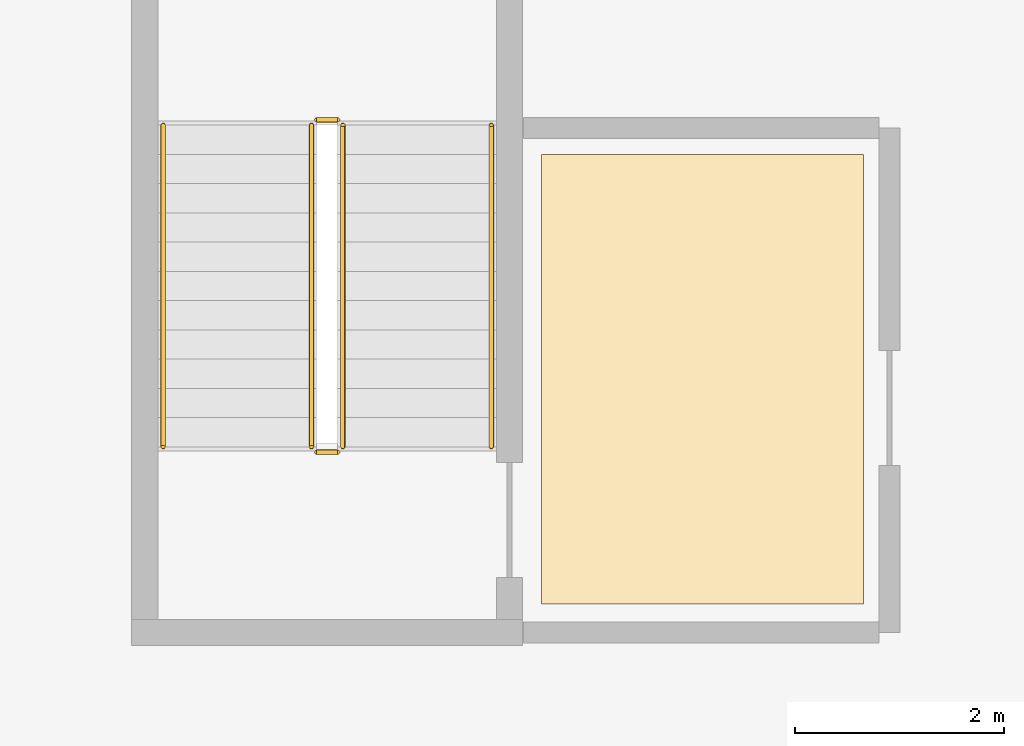
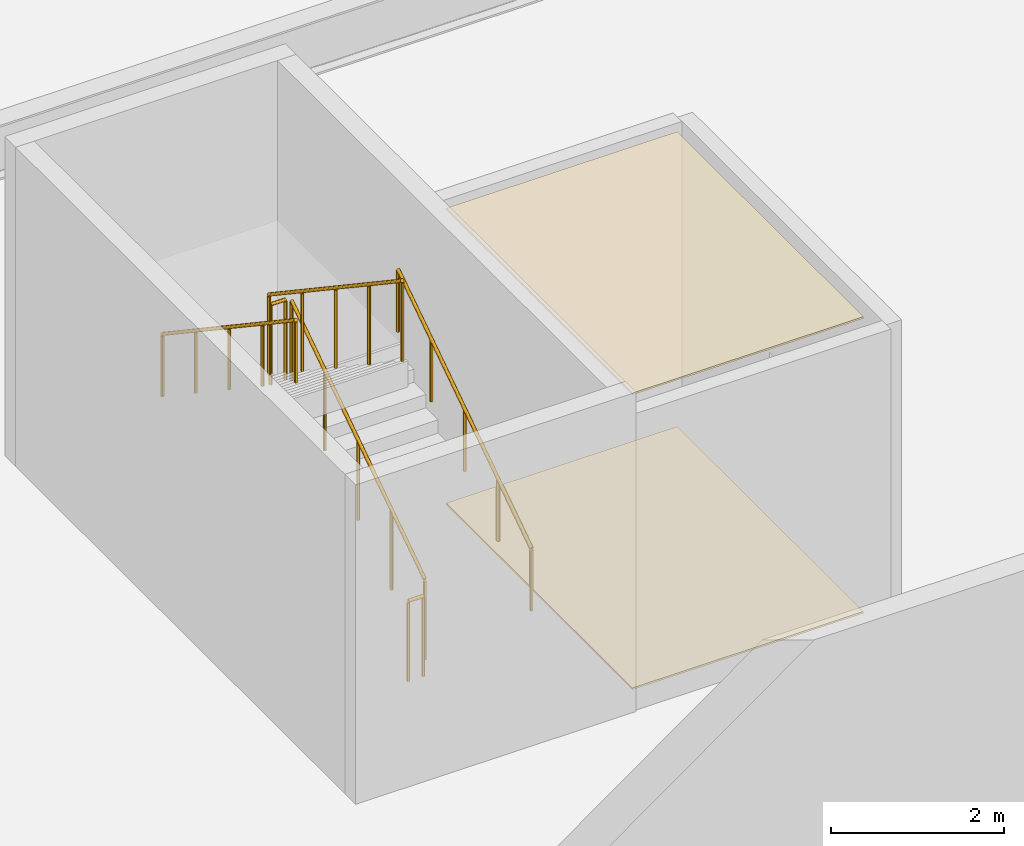
# One storey, part 30 of 40: 6 railings, 2 coverings.
"""IFC4 building model written with IfcOpenShell, lengths in metres."""

from ifc_helpers import new_model, si_unit, direction, frame, origin, origin_2d, place, context, subcontext, project, spatial, polyline, circle, outline, extrude, material, layer, layer_set, type_object, element, save


model = new_model("IFC4")

# Units and contexts
model_context = context("Model", 3, precision=1e-05, world=origin(), true_north=direction((0.0, 1.0)))
body_context = subcontext(model_context, "Body", "Model", "MODEL_VIEW")
ifc_project = project(units=[si_unit("LENGTHUNIT", "METRE"), si_unit("AREAUNIT", "SQUARE_METRE"), si_unit("VOLUMEUNIT", "CUBIC_METRE"), si_unit("PLANEANGLEUNIT", "RADIAN"), si_unit("MASSUNIT", "GRAM", prefix="KILO")], contexts=[model_context])

# Site, building, storey
site_placement = place(None, origin())
site = spatial("IfcSite", under=ifc_project, at=site_placement, CompositionType="ELEMENT")
building_placement = place(site_placement, origin())
building = spatial("IfcBuilding", under=site, at=building_placement, Name="Korimba Cascade Residences", CompositionType="ELEMENT")
storey_placement = place(building_placement, frame((0.0, 0.0, 14.5)))
storey = spatial("IfcBuildingStorey", under=building, at=storey_placement, Name="L03", CompositionType="ELEMENT", Elevation=14.5)

# Coverings
ifc_material_1 = material(Name="Perforated Acoustic Gypsum Ceiling", Category="gypsum")
ifc_layer_1 = layer(ifc_material_1, 0.02490234375)
ifc_layer_set_1 = layer_set([ifc_layer_1], Name="Perforated Acoustic Gypsum Ceiling")
covering_type_1 = type_object("IfcCoveringType", Name="COV-CLG-AC", PredefinedType="CEILING", material=ifc_layer_set_1)
covering_1_placement = place(storey_placement, frame((0.0, 0.0, 4.155029296875)))
element("IfcCovering", 1, at=covering_1_placement, inside=storey, type_object=covering_type_1, Name="L03 Suspended Acoustic Ceiling L03-PL3", PredefinedType="CEILING", context=body_context, shape_type="SweptSolid", body=[
    extrude(outline(polyline([(61.669921875, -12.64990234375), (64.75, -12.64990234375), (64.75, -8.35009765625), (61.669921875, -8.35009765625), (61.669921875, -12.64990234375)])), origin(), (0.0, 0.0, 1.0), 0.02490234375),
])
ifc_material_2 = material(Name="Honed Travertine Stone Flooring", Category="masonry")
ifc_layer_2 = layer(ifc_material_2, 0.02490234375)
ifc_layer_set_2 = layer_set([ifc_layer_2], Name="Honed Travertine Stone Flooring")
covering_type_2 = type_object("IfcCoveringType", Name="COV-FLR-STN", PredefinedType="FLOORING", material=ifc_layer_set_2)
covering_2_placement = place(storey_placement, origin())
element("IfcCovering", 2, at=covering_2_placement, inside=storey, type_object=covering_type_2, Name="L03 Honed Travertine Stone Flooring L03-PL3", PredefinedType="FLOORING", context=body_context, shape_type="SweptSolid", body=[
    extrude(outline(polyline([(61.669921875, -12.64990234375), (64.75, -12.64990234375), (64.75, -8.35009765625), (61.669921875, -8.35009765625), (61.669921875, -12.64990234375)])), origin(), (0.0, 0.0, 1.0), 0.02490234375),
])

# Railings
ifc_material_3 = material(Name="Painted Steel Stairwell Guardrail", Category="steel")
railing_type_1 = type_object("IfcRailingType", Name="RLG-ST-GD1150", PredefinedType="GUARDRAIL", material=ifc_material_3)
railing_1_placement = place(storey_placement, frame((59.77001953125, -11.14990234375, 0.1875)))
element("IfcRailing", 3, at=railing_1_placement, inside=storey, type_object=railing_type_1, Name="L03 ST-P3 stair guard 1", PredefinedType="GUARDRAIL", context=body_context, shape_type="SweptSolid", body=[
    extrude(circle(Radius=0.02392578125, at=origin_2d()), frame((0.0, 0.0, 1.1259765625), z_axis=(0.0, 0.830893310487, 0.556431762742), x_axis=(-1.0, 0.0, 0.0)), (0.0, 0.0, 1.0), 3.70654296875),
    extrude(circle(Radius=0.02099609375, at=origin_2d()), origin(), (0.0, 0.0, 1.0), 1.101806640625),
    extrude(circle(Radius=0.02099609375, at=origin_2d()), frame((0.0, 0.77001953125, 0.515625)), (0.0, 0.0, 1.0), 1.101806640625),
    extrude(circle(Radius=0.02099609375, at=origin_2d()), frame((0.0, 1.5400390625, 1.03125)), (0.0, 0.0, 1.0), 1.101806640625),
    extrude(circle(Radius=0.02099609375, at=origin_2d()), frame((0.0, 2.309814453125, 1.546875)), (0.0, 0.0, 1.0), 1.101806640625),
    extrude(circle(Radius=0.02099609375, at=origin_2d()), frame((0.0, 3.079833984375, 2.0625)), (0.0, 0.0, 1.0), 1.101806640625),
])
railing_2_placement = place(storey_placement, frame((59.719970703125, -8.02001953125, 2.25)))
element("IfcRailing", 4, at=railing_2_placement, inside=storey, type_object=railing_type_1, Name="L03 ST-P3 stair guard 2", PredefinedType="GUARDRAIL", context=body_context, shape_type="SweptSolid", body=[
    extrude(circle(Radius=0.02392578125, at=origin_2d()), frame((0.0, 0.0, 1.1259765625), z_axis=(-1.0, 0.0, 0.0), x_axis=(0.0, -1.0, 0.0)), (0.0, 0.0, 1.0), 0.199951171875),
    extrude(circle(Radius=0.02099609375, at=origin_2d()), origin(), (0.0, 0.0, 1.0), 1.101806640625),
    extrude(circle(Radius=0.02099609375, at=origin_2d()), frame((-0.199951171875, 0.0, 0.0)), (0.0, 0.0, 1.0), 1.101806640625),
])
railing_3_placement = place(storey_placement, frame((59.469970703125, -8.070068359375, 2.4375)))
element("IfcRailing", 5, at=railing_3_placement, inside=storey, type_object=railing_type_1, Name="L03 ST-P3 stair guard 3", PredefinedType="GUARDRAIL", context=body_context, shape_type="SweptSolid", body=[
    extrude(circle(Radius=0.02392578125, at=origin_2d()), frame((0.0, 0.0, 1.1259765625), z_axis=(0.0, -0.830893310487, 0.556431762742), x_axis=(1.0, 0.0, 0.0)), (0.0, 0.0, 1.0), 3.70654296875),
    extrude(circle(Radius=0.02099609375, at=origin_2d()), origin(), (0.0, 0.0, 1.0), 1.101806640625),
    extrude(circle(Radius=0.02099609375, at=origin_2d()), frame((0.0, -0.77001953125, 0.515625)), (0.0, 0.0, 1.0), 1.101806640625),
    extrude(circle(Radius=0.02099609375, at=origin_2d()), frame((0.0, -1.5400390625, 1.03125)), (0.0, 0.0, 1.0), 1.101806640625),
    extrude(circle(Radius=0.02099609375, at=origin_2d()), frame((0.0, -2.309814453125, 1.546875)), (0.0, 0.0, 1.0), 1.101806640625),
    extrude(circle(Radius=0.02099609375, at=origin_2d()), frame((0.0, -3.079833984375, 2.0625)), (0.0, 0.0, 1.0), 1.101806640625),
])
railing_4_placement = place(storey_placement, frame((59.719970703125, -11.199951171875, 0.0)))
element("IfcRailing", 6, at=railing_4_placement, inside=storey, type_object=railing_type_1, Name="L03 ST-P3 stair guard 4", PredefinedType="GUARDRAIL", context=body_context, shape_type="SweptSolid", body=[
    extrude(circle(Radius=0.02392578125, at=origin_2d()), frame((0.0, 0.0, 1.1259765625), z_axis=(-1.0, 0.0, 0.0), x_axis=(0.0, -1.0, 0.0)), (0.0, 0.0, 1.0), 0.199951171875),
    extrude(circle(Radius=0.02099609375, at=origin_2d()), origin(), (0.0, 0.0, 1.0), 1.101806640625),
    extrude(circle(Radius=0.02099609375, at=origin_2d()), frame((-0.199951171875, 0.0, 0.0)), (0.0, 0.0, 1.0), 1.101806640625),
])
ifc_material_4 = material(Name="Brushed Stainless Steel Handrail", Category="steel")
railing_type_2 = type_object("IfcRailingType", Name="RLG-ST-HR900", PredefinedType="HANDRAIL", material=ifc_material_4)
railing_5_placement = place(storey_placement, frame((61.18994140625, -11.14990234375, 0.379150390625)))
element("IfcRailing", 7, at=railing_5_placement, inside=storey, type_object=railing_type_2, Name="L03 ST-P3 stair handrail 1", PredefinedType="HANDRAIL", context=body_context, shape_type="SweptSolid", body=[
    extrude(circle(Radius=0.02392578125, at=origin_2d()), frame((0.0, 0.0, 0.8759765625), z_axis=(0.0, 0.830893310487, 0.556431762742), x_axis=(-1.0, 0.0, 0.0)), (0.0, 0.0, 1.0), 3.70654296875),
    extrude(circle(Radius=0.02099609375, at=origin_2d()), origin(), (0.0, 0.0, 1.0), 0.851806640625),
    extrude(circle(Radius=0.02099609375, at=origin_2d()), frame((0.0, 0.77001953125, 0.515625)), (0.0, 0.0, 1.0), 0.851806640625),
    extrude(circle(Radius=0.02099609375, at=origin_2d()), frame((0.0, 1.5400390625, 1.03125)), (0.0, 0.0, 1.0), 0.851806640625),
    extrude(circle(Radius=0.02099609375, at=origin_2d()), frame((0.0, 2.309814453125, 1.546875)), (0.0, 0.0, 1.0), 0.851806640625),
    extrude(circle(Radius=0.02099609375, at=origin_2d()), frame((0.0, 3.079833984375, 2.0625)), (0.0, 0.0, 1.0), 0.851806640625),
])
railing_6_placement = place(storey_placement, frame((58.050048828125, -8.070068359375, 2.629150390625)))
element("IfcRailing", 8, at=railing_6_placement, inside=storey, type_object=railing_type_2, Name="L03 ST-P3 stair handrail 2", PredefinedType="HANDRAIL", context=body_context, shape_type="SweptSolid", body=[
    extrude(circle(Radius=0.02392578125, at=origin_2d()), frame((0.0, 0.0, 0.8759765625), z_axis=(0.0, -0.830893310487, 0.556431762742), x_axis=(1.0, 0.0, 0.0)), (0.0, 0.0, 1.0), 3.70654296875),
    extrude(circle(Radius=0.02099609375, at=origin_2d()), origin(), (0.0, 0.0, 1.0), 0.851806640625),
    extrude(circle(Radius=0.02099609375, at=origin_2d()), frame((0.0, -0.77001953125, 0.515625)), (0.0, 0.0, 1.0), 0.851806640625),
    extrude(circle(Radius=0.02099609375, at=origin_2d()), frame((0.0, -1.5400390625, 1.03125)), (0.0, 0.0, 1.0), 0.851806640625),
    extrude(circle(Radius=0.02099609375, at=origin_2d()), frame((0.0, -2.309814453125, 1.546875)), (0.0, 0.0, 1.0), 0.851806640625),
    extrude(circle(Radius=0.02099609375, at=origin_2d()), frame((0.0, -3.079833984375, 2.0625)), (0.0, 0.0, 1.0), 0.851806640625),
])

save(model, "model.ifc")
